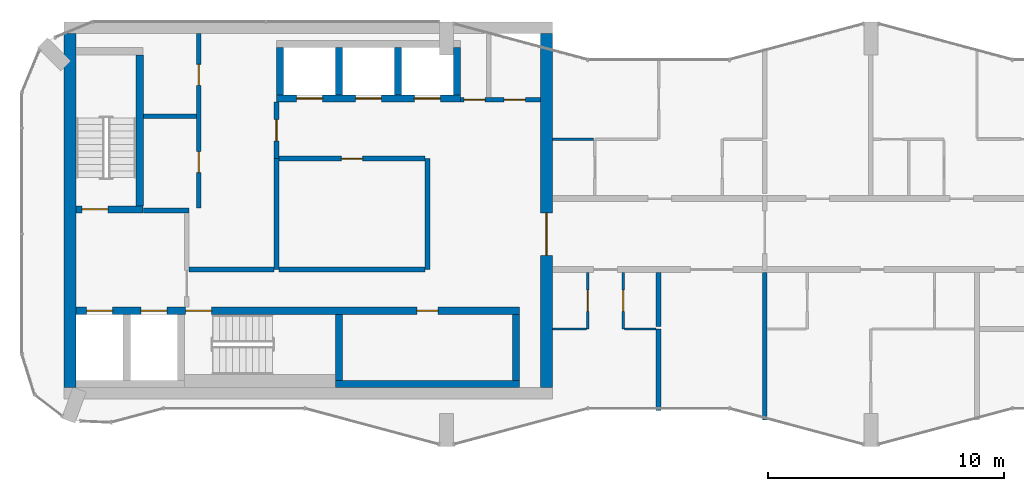
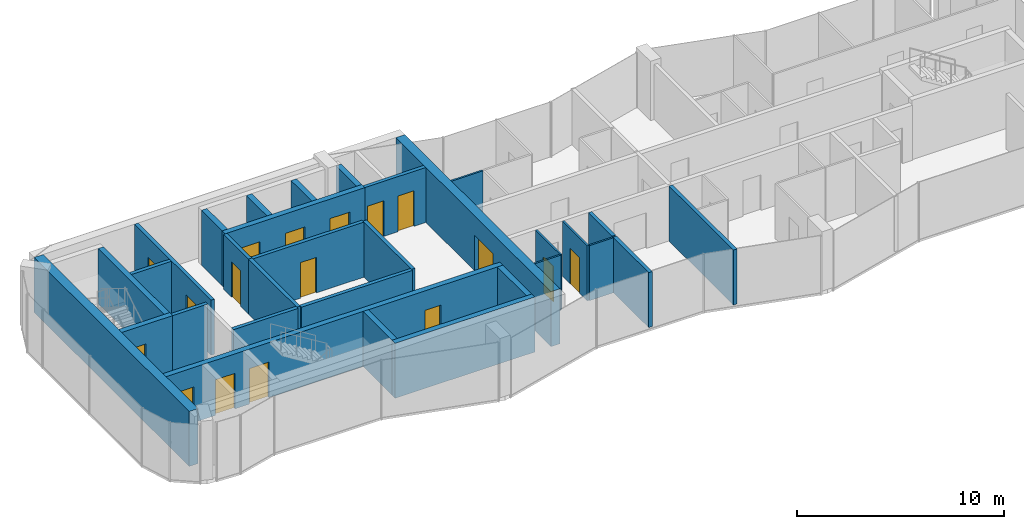
# One storey, part 7 of 10: 31 walls, 17 doors, 17 openings.
"""IFC4 building model written with IfcOpenShell, lengths in metres."""

from ifc_helpers import new_model, si_unit, direction, frame, frame_2d, origin, place, context, subcontext, project, spatial, rectangle, extrude, material, layer, layer_set, type_object, element, fill, save


model = new_model("IFC4")

# Units and contexts
model_context = context("Model", 3, precision=1e-05, world=origin(), true_north=direction((0.0, 1.0)))
body_context = subcontext(model_context, "Body", "Model", "MODEL_VIEW")
ifc_project = project(units=[si_unit("LENGTHUNIT", "METRE"), si_unit("AREAUNIT", "SQUARE_METRE"), si_unit("VOLUMEUNIT", "CUBIC_METRE"), si_unit("PLANEANGLEUNIT", "RADIAN"), si_unit("MASSUNIT", "GRAM", prefix="KILO")], contexts=[model_context])

# Site, building, storey
site_placement = place(None, origin())
site = spatial("IfcSite", under=ifc_project, at=site_placement, CompositionType="ELEMENT")
building_placement = place(site_placement, origin())
building = spatial("IfcBuilding", under=site, at=building_placement, Name="Plateau Cross Towers", CompositionType="ELEMENT")
storey_placement = place(building_placement, frame((0.0, 0.0, 249.39990234375)))
storey = spatial("IfcBuildingStorey", under=building, at=storey_placement, Name="L65", CompositionType="ELEMENT", Elevation=249.39990234375)

# Walls
ifc_material_1 = material(Name="Concrete block, plastered both sides", Category="concrete")
ifc_layer_1 = layer(ifc_material_1, 0.199951171875)
ifc_layer_set_1 = layer_set([ifc_layer_1], Name="Concrete block, plastered both sides")
wall_type_1 = type_object("IfcWallType", Name="Core partition 200", PredefinedType="PARTITIONING", material=ifc_layer_set_1)
wall_1_placement = place(storey_placement, frame((5.14990234375, 10.0, 0.0), z_axis=(0.0, 0.0, 1.0), x_axis=(1.0, 0.0, 0.0)))
element("IfcWall", 1, at=wall_1_placement, inside=storey, type_object=wall_type_1, Name="Core partition", PredefinedType="PARTITIONING", context=body_context, shape_type="SweptSolid", body=[
    extrude(rectangle(XDim=1.9501953125, YDim=0.199951171875, at=frame_2d((0.97509765625, 0.0))), origin(), (0.0, 0.0, 1.0), 3.25),
])
wall_2_placement = place(storey_placement, frame((7.10009765625, 7.5, 0.0), z_axis=(0.0, 0.0, 1.0), x_axis=(1.0, 0.0, 0.0)))
element("IfcWall", 2, at=wall_2_placement, inside=storey, type_object=wall_type_1, Name="Core partition", PredefinedType="PARTITIONING", context=body_context, shape_type="SweptSolid", body=[
    extrude(rectangle(XDim=3.599853515625, YDim=0.199951171875, at=frame_2d((1.7998046875, 0.0))), origin(), (0.0, 0.0, 1.0), 3.25),
])

# Wall, opening, door
wall_3_placement = place(storey_placement, frame((10.800048828125, 12.199951171875, 0.0), z_axis=(0.0, 0.0, 1.0), x_axis=(0.0, 1.0, 0.0)))
wall_3 = element("IfcWall", 3, at=wall_3_placement, inside=storey, type_object=wall_type_1, Name="Core partition", PredefinedType="PARTITIONING", context=body_context, shape_type="SweptSolid", body=[
    extrude(rectangle(XDim=2.400146484375, YDim=0.199951171875, at=frame_2d((1.2001953125, 0.0))), origin(), (0.0, 0.0, 1.0), 3.25),
])
opening_1_placement = place(wall_3_placement, frame((0.75, 0.0, 0.0)))
opening_1 = element("IfcOpeningElement", 4, at=opening_1_placement, cuts=wall_3, Name="Opening RD1", PredefinedType="OPENING", context=body_context, shape_type="SweptSolid", body=[
    extrude(rectangle(XDim=0.89990234375, YDim=2.10009765625, at=frame_2d((0.449951171875, 1.050048828125))), frame((0.0, 0.10986328125, 0.0), z_axis=(0.0, -1.0, 0.0), x_axis=(1.0, 0.0, 0.0)), (0.0, 0.0, 1.0), 0.219970703125),
])
ifc_material_2 = material(Name="Timber, fire-resisting leaf", Category="wood")
door_type_1 = type_object("IfcDoorType", Name="Core service door 900", OperationType="NOTDEFINED", PredefinedType="DOOR", material=ifc_material_2)
door_1_placement = place(opening_1_placement, origin())
door_1 = element("IfcDoor", 5, at=door_1_placement, inside=storey, type_object=door_type_1, Name="Core service door RD1", OperationType="SINGLE_SWING_LEFT", OverallHeight=2.10009765625, OverallWidth=0.89990234375, PredefinedType="DOOR", context=body_context, shape_type="SweptSolid", body=[
    extrude(rectangle(XDim=0.89990234375, YDim=2.10009765625, at=frame_2d((0.449951171875, 1.050048828125))), frame((0.0, 0.02490234375, 0.0), z_axis=(0.0, -1.0, 0.0), x_axis=(1.0, 0.0, 0.0)), (0.0, 0.0, 1.0), 0.050048828125),
])
fill(opening_1, door_1)

# Walls
wall_4_placement = place(storey_placement, frame((10.800048828125, 7.5, 0.0), z_axis=(0.0, 0.0, 1.0), x_axis=(0.0, 1.0, 0.0)))
element("IfcWall", 6, at=wall_4_placement, inside=storey, type_object=wall_type_1, Name="Core partition", PredefinedType="PARTITIONING", context=body_context, shape_type="SweptSolid", body=[
    extrude(rectangle(XDim=4.699951171875, YDim=0.199951171875, at=frame_2d((2.35009765625, 0.0))), origin(), (0.0, 0.0, 1.0), 3.25),
])
wall_5_placement = place(storey_placement, frame((10.89990234375, 7.5, 0.0), z_axis=(0.0, 0.0, 1.0), x_axis=(1.0, 0.0, 0.0)))
element("IfcWall", 7, at=wall_5_placement, inside=storey, type_object=wall_type_1, Name="Core partition", PredefinedType="PARTITIONING", context=body_context, shape_type="SweptSolid", body=[
    extrude(rectangle(XDim=6.2001953125, YDim=0.199951171875, at=frame_2d((3.10009765625, 0.0))), origin(), (0.0, 0.0, 1.0), 3.25),
])
wall_6_placement = place(storey_placement, frame((17.199951171875, 7.5, 0.0), z_axis=(0.0, 0.0, 1.0), x_axis=(0.0, 1.0, 0.0)))
element("IfcWall", 8, at=wall_6_placement, inside=storey, type_object=wall_type_1, Name="Core partition", PredefinedType="PARTITIONING", context=body_context, shape_type="SweptSolid", body=[
    extrude(rectangle(XDim=4.699951171875, YDim=0.199951171875, at=frame_2d((2.35009765625, 0.0))), origin(), (0.0, 0.0, 1.0), 3.25),
])

# Wall, opening, door
wall_7_placement = place(storey_placement, frame((10.89990234375, 12.199951171875, 0.0), z_axis=(0.0, 0.0, 1.0), x_axis=(1.0, 0.0, 0.0)))
wall_7 = element("IfcWall", 9, at=wall_7_placement, inside=storey, type_object=wall_type_1, Name="Core partition", PredefinedType="PARTITIONING", context=body_context, shape_type="SweptSolid", body=[
    extrude(rectangle(XDim=6.2001953125, YDim=0.199951171875, at=frame_2d((3.10009765625, 0.0))), origin(), (0.0, 0.0, 1.0), 3.25),
])
opening_2_placement = place(wall_7_placement, frame((2.64990234375, 0.0, 0.0)))
opening_2 = element("IfcOpeningElement", 10, at=opening_2_placement, cuts=wall_7, Name="Opening RD1", PredefinedType="OPENING", context=body_context, shape_type="SweptSolid", body=[
    extrude(rectangle(XDim=0.89990234375, YDim=2.10009765625, at=frame_2d((0.449951171875, 1.050048828125))), frame((0.0, 0.10986328125, 0.0), z_axis=(0.0, -1.0, 0.0), x_axis=(1.0, 0.0, 0.0)), (0.0, 0.0, 1.0), 0.219970703125),
])
door_2_placement = place(opening_2_placement, origin())
door_2 = element("IfcDoor", 11, at=door_2_placement, inside=storey, type_object=door_type_1, Name="Core service door RD1", OperationType="SINGLE_SWING_LEFT", OverallHeight=2.10009765625, OverallWidth=0.89990234375, PredefinedType="DOOR", context=body_context, shape_type="SweptSolid", body=[
    extrude(rectangle(XDim=0.89990234375, YDim=2.10009765625, at=frame_2d((0.449951171875, 1.050048828125))), frame((0.0, 0.02490234375, 0.0), z_axis=(0.0, -1.0, 0.0), x_axis=(1.0, 0.0, 0.0)), (0.0, 0.0, 1.0), 0.050048828125),
])
fill(opening_2, door_2)

# Wall, openings, doors
wall_8_placement = place(storey_placement, frame((7.5, 10.10009765625, 0.0), z_axis=(0.0, 0.0, 1.0), x_axis=(0.0, 1.0, 0.0)))
wall_8 = element("IfcWall", 12, at=wall_8_placement, inside=storey, type_object=wall_type_1, Name="Core partition", PredefinedType="PARTITIONING", context=body_context, shape_type="SweptSolid", body=[
    extrude(rectangle(XDim=7.39990234375, YDim=0.199951171875, at=frame_2d((3.699951171875, 0.0))), origin(), (0.0, 0.0, 1.0), 3.25),
])
opening_3_placement = place(wall_8_placement, frame((1.5, 0.0, 0.0)))
opening_3 = element("IfcOpeningElement", 13, at=opening_3_placement, cuts=wall_8, Name="Opening RD1", PredefinedType="OPENING", context=body_context, shape_type="SweptSolid", body=[
    extrude(rectangle(XDim=0.89990234375, YDim=2.10009765625, at=frame_2d((0.449951171875, 1.050048828125))), frame((0.0, 0.10986328125, 0.0), z_axis=(0.0, -1.0, 0.0), x_axis=(1.0, 0.0, 0.0)), (0.0, 0.0, 1.0), 0.219970703125),
])
opening_4_placement = place(wall_8_placement, frame((5.199951171875, 0.0, 0.0)))
opening_4 = element("IfcOpeningElement", 14, at=opening_4_placement, cuts=wall_8, Name="Opening RD1", PredefinedType="OPENING", context=body_context, shape_type="SweptSolid", body=[
    extrude(rectangle(XDim=0.89990234375, YDim=2.10009765625, at=frame_2d((0.449951171875, 1.050048828125))), frame((0.0, 0.10986328125, 0.0), z_axis=(0.0, -1.0, 0.0), x_axis=(1.0, 0.0, 0.0)), (0.0, 0.0, 1.0), 0.219970703125),
])
door_3_placement = place(opening_3_placement, origin())
door_3 = element("IfcDoor", 15, at=door_3_placement, inside=storey, type_object=door_type_1, Name="Core service door RD1", OperationType="SINGLE_SWING_RIGHT", OverallHeight=2.10009765625, OverallWidth=0.89990234375, PredefinedType="DOOR", context=body_context, shape_type="SweptSolid", body=[
    extrude(rectangle(XDim=0.89990234375, YDim=2.10009765625, at=frame_2d((0.449951171875, 1.050048828125))), frame((0.0, 0.02490234375, 0.0), z_axis=(0.0, -1.0, 0.0), x_axis=(1.0, 0.0, 0.0)), (0.0, 0.0, 1.0), 0.050048828125),
])
fill(opening_3, door_3)
door_4_placement = place(opening_4_placement, origin())
door_4 = element("IfcDoor", 16, at=door_4_placement, inside=storey, type_object=door_type_1, Name="Core service door RD1", OperationType="SINGLE_SWING_RIGHT", OverallHeight=2.10009765625, OverallWidth=0.89990234375, PredefinedType="DOOR", context=body_context, shape_type="SweptSolid", body=[
    extrude(rectangle(XDim=0.89990234375, YDim=2.10009765625, at=frame_2d((0.449951171875, 1.050048828125))), frame((0.0, 0.02490234375, 0.0), z_axis=(0.0, -1.0, 0.0), x_axis=(1.0, 0.0, 0.0)), (0.0, 0.0, 1.0), 0.050048828125),
])
fill(opening_4, door_4)

# Wall
wall_9_placement = place(storey_placement, frame((5.14990234375, 14.0, 0.0), z_axis=(0.0, 0.0, 1.0), x_axis=(1.0, 0.0, 0.0)))
element("IfcWall", 17, at=wall_9_placement, inside=storey, type_object=wall_type_1, Name="Core partition", PredefinedType="PARTITIONING", context=body_context, shape_type="SweptSolid", body=[
    extrude(rectangle(XDim=2.25, YDim=0.199951171875, at=frame_2d((1.125, 0.0))), origin(), (0.0, 0.0, 1.0), 3.25),
])

# Wall, openings, doors
wall_10_placement = place(storey_placement, frame((18.60009765625, 14.699951171875, 0.0), z_axis=(0.0, 0.0, 1.0), x_axis=(1.0, 0.0, 0.0)))
wall_10 = element("IfcWall", 18, at=wall_10_placement, inside=storey, type_object=wall_type_1, Name="Core partition", PredefinedType="PARTITIONING", context=body_context, shape_type="SweptSolid", body=[
    extrude(rectangle(XDim=3.39990234375, YDim=0.199951171875, at=frame_2d((1.699951171875, 0.0))), origin(), (0.0, 0.0, 1.0), 3.25),
])
opening_5_placement = place(wall_10_placement, frame((0.14990234375, 0.0, 0.0)))
opening_5 = element("IfcOpeningElement", 19, at=opening_5_placement, cuts=wall_10, Name="Opening RD2", PredefinedType="OPENING", context=body_context, shape_type="SweptSolid", body=[
    extrude(rectangle(XDim=0.89990234375, YDim=2.10009765625, at=frame_2d((0.449951171875, 1.050048828125))), frame((0.0, 0.10986328125, 0.0), z_axis=(0.0, -1.0, 0.0), x_axis=(1.0, 0.0, 0.0)), (0.0, 0.0, 1.0), 0.219970703125),
])
opening_6_placement = place(wall_10_placement, frame((1.85009765625, 0.0, 0.0)))
opening_6 = element("IfcOpeningElement", 20, at=opening_6_placement, cuts=wall_10, Name="Opening RD2", PredefinedType="OPENING", context=body_context, shape_type="SweptSolid", body=[
    extrude(rectangle(XDim=0.89990234375, YDim=2.10009765625, at=frame_2d((0.449951171875, 1.050048828125))), frame((0.0, 0.10986328125, 0.0), z_axis=(0.0, -1.0, 0.0), x_axis=(1.0, 0.0, 0.0)), (0.0, 0.0, 1.0), 0.219970703125),
])
ifc_material_3 = material(Name="Steel, fire-resisting leaf", Category="steel")
door_type_2 = type_object("IfcDoorType", Name="Core riser door 900", OperationType="NOTDEFINED", PredefinedType="DOOR", material=ifc_material_3)
door_5_placement = place(opening_5_placement, origin())
door_5 = element("IfcDoor", 21, at=door_5_placement, inside=storey, type_object=door_type_2, Name="Core riser door RD2", OperationType="SINGLE_SWING_LEFT", OverallHeight=2.10009765625, OverallWidth=0.89990234375, PredefinedType="DOOR", context=body_context, shape_type="SweptSolid", body=[
    extrude(rectangle(XDim=0.89990234375, YDim=2.10009765625, at=frame_2d((0.449951171875, 1.050048828125))), frame((0.0, 0.02490234375, 0.0), z_axis=(0.0, -1.0, 0.0), x_axis=(1.0, 0.0, 0.0)), (0.0, 0.0, 1.0), 0.050048828125),
])
fill(opening_5, door_5)
door_6_placement = place(opening_6_placement, origin())
door_6 = element("IfcDoor", 22, at=door_6_placement, inside=storey, type_object=door_type_2, Name="Core riser door RD2", OperationType="SINGLE_SWING_LEFT", OverallHeight=2.10009765625, OverallWidth=0.89990234375, PredefinedType="DOOR", context=body_context, shape_type="SweptSolid", body=[
    extrude(rectangle(XDim=0.89990234375, YDim=2.10009765625, at=frame_2d((0.449951171875, 1.050048828125))), frame((0.0, 0.02490234375, 0.0), z_axis=(0.0, -1.0, 0.0), x_axis=(1.0, 0.0, 0.0)), (0.0, 0.0, 1.0), 0.050048828125),
])
fill(opening_6, door_6)

# Walls
ifc_material_4 = material(Name="Concrete C60/75", Category="concrete")
ifc_layer_2 = layer(ifc_material_4, 0.300048828125)
ifc_layer_set_2 = layer_set([ifc_layer_2], Name="Concrete C60/75")
wall_type_2 = type_object("IfcWallType", Name="Core shaft wall 300", PredefinedType="SHEAR", material=ifc_layer_set_2)
wall_11_placement = place(storey_placement, frame((13.300048828125, 2.64990234375, 0.0), z_axis=(0.0, 0.0, 1.0), x_axis=(1.0, 0.0, 0.0)))
element("IfcWall", 23, at=wall_11_placement, inside=storey, type_object=wall_type_2, Name="A-sb-back3@L65", PredefinedType="SHEAR", context=body_context, shape_type="SweptSolid", body=[
    extrude(rectangle(XDim=7.800048828125, YDim=0.300048828125, at=frame_2d((3.89990234375, 0.0))), origin(), (0.0, 0.0, 1.0), 3.25),
])
for number, where, z_axis, x_axis, name in (
    (24, (13.449951171875, 2.800048828125, 0.0), (0.0, 0.0, 1.0), (0.0, 1.0, 0.0), "A-sb-v3@L65"),
    (25, (20.949951171875, 2.800048828125, 0.0), (0.0, 0.0, 1.0), (0.0, 1.0, 0.0), "A-sb-v6@L65"),
):
    element("IfcWall", number, at=place(storey_placement, frame(where, z_axis=z_axis, x_axis=x_axis)), inside=storey, type_object=wall_type_2, Name=name, PredefinedType="SHEAR", context=body_context, shape_type="SweptSolid", body=[
        extrude(rectangle(XDim=2.800048828125, YDim=0.300048828125, at=frame_2d((1.39990234375, 0.0))), origin(), (0.0, 0.0, 1.0), 3.25),
    ])

# Wall, openings, doors
wall_12_placement = place(storey_placement, frame((2.300048828125, 5.75, 0.0), z_axis=(0.0, 0.0, 1.0), x_axis=(1.0, 0.0, 0.0)))
wall_12 = element("IfcWall", 26, at=wall_12_placement, inside=storey, type_object=wall_type_2, Name="A-sb-front@L65", PredefinedType="SHEAR", context=body_context, shape_type="SweptSolid", body=[
    extrude(rectangle(XDim=18.800048828125, YDim=0.300048828125, at=frame_2d((9.39990234375, 0.0))), origin(), (0.0, 0.0, 1.0), 3.25),
])
opening_7_placement = place(wall_12_placement, frame((4.64990234375, 0.0, 0.0)))
opening_7 = element("IfcOpeningElement", 27, at=opening_7_placement, cuts=wall_12, Name="Opening SD", PredefinedType="OPENING", context=body_context, shape_type="SweptSolid", body=[
    extrude(rectangle(XDim=1.10009765625, YDim=2.10009765625, at=frame_2d((0.550048828125, 1.050048828125))), frame((0.0, 0.159912109375, 0.0), z_axis=(0.0, -1.0, 0.0), x_axis=(1.0, 0.0, 0.0)), (0.0, 0.0, 1.0), 0.320068359375),
])
opening_8_placement = place(wall_12_placement, frame((0.449951171875, 0.0, 0.0)))
opening_8 = element("IfcOpeningElement", 28, at=opening_8_placement, cuts=wall_12, Name="Opening LD", PredefinedType="OPENING", context=body_context, shape_type="SweptSolid", body=[
    extrude(rectangle(XDim=1.10009765625, YDim=2.10009765625, at=frame_2d((0.550048828125, 1.050048828125))), frame((0.0, 0.159912109375, 0.0), z_axis=(0.0, -1.0, 0.0), x_axis=(1.0, 0.0, 0.0)), (0.0, 0.0, 1.0), 0.320068359375),
])
opening_9_placement = place(wall_12_placement, frame((2.75, 0.0, 0.0)))
opening_9 = element("IfcOpeningElement", 29, at=opening_9_placement, cuts=wall_12, Name="Opening LD", PredefinedType="OPENING", context=body_context, shape_type="SweptSolid", body=[
    extrude(rectangle(XDim=1.10009765625, YDim=2.10009765625, at=frame_2d((0.550048828125, 1.050048828125))), frame((0.0, 0.159912109375, 0.0), z_axis=(0.0, -1.0, 0.0), x_axis=(1.0, 0.0, 0.0)), (0.0, 0.0, 1.0), 0.320068359375),
])
opening_10_placement = place(wall_12_placement, frame((14.449951171875, 0.0, 0.0)))
opening_10 = element("IfcOpeningElement", 30, at=opening_10_placement, cuts=wall_12, Name="Opening RD2", PredefinedType="OPENING", context=body_context, shape_type="SweptSolid", body=[
    extrude(rectangle(XDim=0.89990234375, YDim=2.10009765625, at=frame_2d((0.449951171875, 1.050048828125))), frame((0.0, 0.159912109375, 0.0), z_axis=(0.0, -1.0, 0.0), x_axis=(1.0, 0.0, 0.0)), (0.0, 0.0, 1.0), 0.320068359375),
])
door_7_placement = place(opening_10_placement, origin())
door_7 = element("IfcDoor", 31, at=door_7_placement, inside=storey, type_object=door_type_2, Name="Core riser door RD2", OperationType="SINGLE_SWING_LEFT", OverallHeight=2.10009765625, OverallWidth=0.89990234375, PredefinedType="DOOR", context=body_context, shape_type="SweptSolid", body=[
    extrude(rectangle(XDim=0.89990234375, YDim=2.10009765625, at=frame_2d((0.449951171875, 1.050048828125))), frame((0.0, 0.02490234375, 0.0), z_axis=(0.0, -1.0, 0.0), x_axis=(1.0, 0.0, 0.0)), (0.0, 0.0, 1.0), 0.050048828125),
])
fill(opening_10, door_7)
ifc_material_5 = material(Name="Stainless steel, fire-resisting sliding leaves", Category="steel")
door_type_3 = type_object("IfcDoorType", Name="Lift landing door 1100", OperationType="NOTDEFINED", PredefinedType="DOOR", material=ifc_material_5)
door_8_placement = place(opening_8_placement, origin())
door_8 = element("IfcDoor", 32, at=door_8_placement, inside=storey, type_object=door_type_3, Name="Lift landing door LD", OperationType="DOUBLE_DOOR_SLIDING", OverallHeight=2.10009765625, OverallWidth=1.10009765625, PredefinedType="DOOR", context=body_context, shape_type="SweptSolid", body=[
    extrude(rectangle(XDim=1.10009765625, YDim=2.10009765625, at=frame_2d((0.550048828125, 1.050048828125))), frame((0.0, 0.02490234375, 0.0), z_axis=(0.0, -1.0, 0.0), x_axis=(1.0, 0.0, 0.0)), (0.0, 0.0, 1.0), 0.050048828125),
])
fill(opening_8, door_8)
door_9_placement = place(opening_9_placement, origin())
door_9 = element("IfcDoor", 33, at=door_9_placement, inside=storey, type_object=door_type_3, Name="Lift landing door LD", OperationType="DOUBLE_DOOR_SLIDING", OverallHeight=2.10009765625, OverallWidth=1.10009765625, PredefinedType="DOOR", context=body_context, shape_type="SweptSolid", body=[
    extrude(rectangle(XDim=1.10009765625, YDim=2.10009765625, at=frame_2d((0.550048828125, 1.050048828125))), frame((0.0, 0.02490234375, 0.0), z_axis=(0.0, -1.0, 0.0), x_axis=(1.0, 0.0, 0.0)), (0.0, 0.0, 1.0), 0.050048828125),
])
fill(opening_9, door_9)
door_type_4 = type_object("IfcDoorType", Name="Stair door 1100", OperationType="NOTDEFINED", PredefinedType="DOOR", material=ifc_material_3)
door_10_placement = place(opening_7_placement, origin())
door_10 = element("IfcDoor", 34, at=door_10_placement, inside=storey, type_object=door_type_4, Name="Stair door SD", OperationType="SINGLE_SWING_LEFT", OverallHeight=2.10009765625, OverallWidth=1.10009765625, PredefinedType="DOOR", context=body_context, shape_type="SweptSolid", body=[
    extrude(rectangle(XDim=1.10009765625, YDim=2.10009765625, at=frame_2d((0.550048828125, 1.050048828125))), frame((0.0, 0.02490234375, 0.0), z_axis=(0.0, -1.0, 0.0), x_axis=(1.0, 0.0, 0.0)), (0.0, 0.0, 1.0), 0.050048828125),
])
fill(opening_7, door_10)

# Wall, opening, door
wall_13_placement = place(storey_placement, frame((2.300048828125, 10.050048828125, 0.0), z_axis=(0.0, 0.0, 1.0), x_axis=(1.0, 0.0, 0.0)))
wall_13 = element("IfcWall", 35, at=wall_13_placement, inside=storey, type_object=wall_type_2, Name="A-st1-S@L65", PredefinedType="SHEAR", context=body_context, shape_type="SweptSolid", body=[
    extrude(rectangle(XDim=2.849853515625, YDim=0.300048828125, at=frame_2d((1.4248046875, 0.0))), origin(), (0.0, 0.0, 1.0), 3.25),
])
opening_11_placement = place(wall_13_placement, frame((0.25, 0.0, 0.0)))
opening_11 = element("IfcOpeningElement", 36, at=opening_11_placement, cuts=wall_13, Name="Opening SD", PredefinedType="OPENING", context=body_context, shape_type="SweptSolid", body=[
    extrude(rectangle(XDim=1.10009765625, YDim=2.10009765625, at=frame_2d((0.550048828125, 1.050048828125))), frame((0.0, 0.159912109375, 0.0), z_axis=(0.0, -1.0, 0.0), x_axis=(1.0, 0.0, 0.0)), (0.0, 0.0, 1.0), 0.320068359375),
])
door_11_placement = place(opening_11_placement, origin())
door_11 = element("IfcDoor", 37, at=door_11_placement, inside=storey, type_object=door_type_4, Name="Stair door SD", OperationType="SINGLE_SWING_RIGHT", OverallHeight=2.10009765625, OverallWidth=1.10009765625, PredefinedType="DOOR", context=body_context, shape_type="SweptSolid", body=[
    extrude(rectangle(XDim=1.10009765625, YDim=2.10009765625, at=frame_2d((0.550048828125, 1.050048828125))), frame((0.0, 0.02490234375, 0.0), z_axis=(0.0, -1.0, 0.0), x_axis=(1.0, 0.0, 0.0)), (0.0, 0.0, 1.0), 0.050048828125),
])
fill(opening_11, door_11)

# Wall
wall_14_placement = place(storey_placement, frame((5.0, 10.199951171875, 0.0), z_axis=(0.0, 0.0, 1.0), x_axis=(0.0, 1.0, 0.0)))
element("IfcWall", 38, at=wall_14_placement, inside=storey, type_object=wall_type_2, Name="A-st1-E@L65", PredefinedType="SHEAR", context=body_context, shape_type="SweptSolid", body=[
    extrude(rectangle(XDim=6.400146484375, YDim=0.300048828125, at=frame_2d((3.2001953125, 0.0))), origin(), (0.0, 0.0, 1.0), 3.25),
])

# Wall, openings, doors
wall_15_placement = place(storey_placement, frame((10.800048828125, 14.75, 0.0), z_axis=(0.0, 0.0, 1.0), x_axis=(1.0, 0.0, 0.0)))
wall_15 = element("IfcWall", 39, at=wall_15_placement, inside=storey, type_object=wall_type_2, Name="A-nb-front@L65", PredefinedType="SHEAR", context=body_context, shape_type="SweptSolid", body=[
    extrude(rectangle(XDim=7.800048828125, YDim=0.300048828125, at=frame_2d((3.89990234375, 0.0))), origin(), (0.0, 0.0, 1.0), 3.25),
])
opening_12_placement = place(wall_15_placement, frame((0.85009765625, 0.0, 0.0)))
opening_12 = element("IfcOpeningElement", 40, at=opening_12_placement, cuts=wall_15, Name="Opening LD", PredefinedType="OPENING", context=body_context, shape_type="SweptSolid", body=[
    extrude(rectangle(XDim=1.10009765625, YDim=2.10009765625, at=frame_2d((0.550048828125, 1.050048828125))), frame((0.0, 0.159912109375, 0.0), z_axis=(0.0, -1.0, 0.0), x_axis=(1.0, 0.0, 0.0)), (0.0, 0.0, 1.0), 0.320068359375),
])
opening_13_placement = place(wall_15_placement, frame((3.35009765625, 0.0, 0.0)))
opening_13 = element("IfcOpeningElement", 41, at=opening_13_placement, cuts=wall_15, Name="Opening LD", PredefinedType="OPENING", context=body_context, shape_type="SweptSolid", body=[
    extrude(rectangle(XDim=1.10009765625, YDim=2.10009765625, at=frame_2d((0.550048828125, 1.050048828125))), frame((0.0, 0.159912109375, 0.0), z_axis=(0.0, -1.0, 0.0), x_axis=(1.0, 0.0, 0.0)), (0.0, 0.0, 1.0), 0.320068359375),
])
opening_14_placement = place(wall_15_placement, frame((5.85009765625, 0.0, 0.0)))
opening_14 = element("IfcOpeningElement", 42, at=opening_14_placement, cuts=wall_15, Name="Opening LD", PredefinedType="OPENING", context=body_context, shape_type="SweptSolid", body=[
    extrude(rectangle(XDim=1.10009765625, YDim=2.10009765625, at=frame_2d((0.550048828125, 1.050048828125))), frame((0.0, 0.159912109375, 0.0), z_axis=(0.0, -1.0, 0.0), x_axis=(1.0, 0.0, 0.0)), (0.0, 0.0, 1.0), 0.320068359375),
])
door_12_placement = place(opening_12_placement, origin())
door_12 = element("IfcDoor", 43, at=door_12_placement, inside=storey, type_object=door_type_3, Name="Lift landing door LD", OperationType="DOUBLE_DOOR_SLIDING", OverallHeight=2.10009765625, OverallWidth=1.10009765625, PredefinedType="DOOR", context=body_context, shape_type="SweptSolid", body=[
    extrude(rectangle(XDim=1.10009765625, YDim=2.10009765625, at=frame_2d((0.550048828125, 1.050048828125))), frame((0.0, 0.02490234375, 0.0), z_axis=(0.0, -1.0, 0.0), x_axis=(1.0, 0.0, 0.0)), (0.0, 0.0, 1.0), 0.050048828125),
])
fill(opening_12, door_12)
door_13_placement = place(opening_13_placement, origin())
door_13 = element("IfcDoor", 44, at=door_13_placement, inside=storey, type_object=door_type_3, Name="Lift landing door LD", OperationType="DOUBLE_DOOR_SLIDING", OverallHeight=2.10009765625, OverallWidth=1.10009765625, PredefinedType="DOOR", context=body_context, shape_type="SweptSolid", body=[
    extrude(rectangle(XDim=1.10009765625, YDim=2.10009765625, at=frame_2d((0.550048828125, 1.050048828125))), frame((0.0, 0.02490234375, 0.0), z_axis=(0.0, -1.0, 0.0), x_axis=(1.0, 0.0, 0.0)), (0.0, 0.0, 1.0), 0.050048828125),
])
fill(opening_13, door_13)
door_14_placement = place(opening_14_placement, origin())
door_14 = element("IfcDoor", 45, at=door_14_placement, inside=storey, type_object=door_type_3, Name="Lift landing door LD", OperationType="DOUBLE_DOOR_SLIDING", OverallHeight=2.10009765625, OverallWidth=1.10009765625, PredefinedType="DOOR", context=body_context, shape_type="SweptSolid", body=[
    extrude(rectangle(XDim=1.10009765625, YDim=2.10009765625, at=frame_2d((0.550048828125, 1.050048828125))), frame((0.0, 0.02490234375, 0.0), z_axis=(0.0, -1.0, 0.0), x_axis=(1.0, 0.0, 0.0)), (0.0, 0.0, 1.0), 0.050048828125),
])
fill(opening_14, door_14)

# Walls
for number, where, z_axis, x_axis, name in (
    (46, (10.949951171875, 14.89990234375, 0.0), (0.0, 0.0, 1.0), (0.0, 1.0, 0.0), "A-nb-v1@L65"),
    (47, (13.449951171875, 14.89990234375, 0.0), (0.0, 0.0, 1.0), (0.0, 1.0, 0.0), "A-nb-v2@L65"),
    (48, (15.949951171875, 14.89990234375, 0.0), (0.0, 0.0, 1.0), (0.0, 1.0, 0.0), "A-nb-v3@L65"),
    (49, (18.449951171875, 14.89990234375, 0.0), (0.0, 0.0, 1.0), (0.0, 1.0, 0.0), "A-nb-v4@L65"),
):
    element("IfcWall", number, at=place(storey_placement, frame(where, z_axis=z_axis, x_axis=x_axis)), inside=storey, type_object=wall_type_2, Name=name, PredefinedType="SHEAR", context=body_context, shape_type="SweptSolid", body=[
        extrude(rectangle(XDim=2.0, YDim=0.300048828125, at=frame_2d((1.0, 0.0))), origin(), (0.0, 0.0, 1.0), 3.25),
    ])
ifc_layer_3 = layer(ifc_material_4, 0.5)
ifc_layer_set_3 = layer_set([ifc_layer_3], Name="Concrete C60/75")
wall_type_3 = type_object("IfcWallType", Name="Core shell wall 500", PredefinedType="SHEAR", material=ifc_layer_set_3)
wall_16_placement = place(storey_placement, frame((2.050048828125, 2.5, 0.0), z_axis=(0.0, 0.0, 1.0), x_axis=(0.0, 1.0, 0.0)))
element("IfcWall", 50, at=wall_16_placement, inside=storey, type_object=wall_type_3, Name="A-core-W@L65", PredefinedType="SHEAR", context=body_context, shape_type="SweptSolid", body=[
    extrude(rectangle(XDim=15.0, YDim=0.5, at=frame_2d((7.5, 0.0))), origin(), (0.0, 0.0, 1.0), 3.25),
])

# Wall, opening, door
wall_17_placement = place(storey_placement, frame((22.25, 2.5, 0.0), z_axis=(0.0, 0.0, 1.0), x_axis=(0.0, 1.0, 0.0)))
wall_17 = element("IfcWall", 51, at=wall_17_placement, inside=storey, type_object=wall_type_3, Name="A-core-E@L65", PredefinedType="SHEAR", context=body_context, shape_type="SweptSolid", body=[
    extrude(rectangle(XDim=15.0, YDim=0.5, at=frame_2d((7.5, 0.0))), origin(), (0.0, 0.0, 1.0), 3.25),
])
opening_15_placement = place(wall_17_placement, frame((5.60009765625, 0.0, 0.0)))
opening_15 = element("IfcOpeningElement", 52, at=opening_15_placement, cuts=wall_17, Name="Opening CD", PredefinedType="OPENING", context=body_context, shape_type="SweptSolid", body=[
    extrude(rectangle(XDim=1.800048828125, YDim=2.10009765625, at=frame_2d((0.89990234375, 1.050048828125))), frame((0.0, 0.260009765625, 0.0), z_axis=(0.0, -1.0, 0.0), x_axis=(1.0, 0.0, 0.0)), (0.0, 0.0, 1.0), 0.52001953125),
])
ifc_material_6 = material(Name="Steel, fire-resisting leaves", Category="steel")
door_type_5 = type_object("IfcDoorType", Name="Corridor door pair 1800", OperationType="NOTDEFINED", PredefinedType="DOOR", material=ifc_material_6)
door_15_placement = place(opening_15_placement, origin())
door_15 = element("IfcDoor", 53, at=door_15_placement, inside=storey, type_object=door_type_5, Name="Corridor door pair CD", OperationType="DOUBLE_DOOR_SINGLE_SWING", OverallHeight=2.10009765625, OverallWidth=1.800048828125, PredefinedType="DOOR", context=body_context, shape_type="SweptSolid", body=[
    extrude(rectangle(XDim=1.800048828125, YDim=2.10009765625, at=frame_2d((0.89990234375, 1.050048828125))), frame((0.0, 0.02490234375, 0.0), z_axis=(0.0, -1.0, 0.0), x_axis=(1.0, 0.0, 0.0)), (0.0, 0.0, 1.0), 0.050048828125),
])
fill(opening_15, door_15)

# Walls
ifc_material_7 = material(Name="Gypsum board on steel studs", Category="steel")
ifc_layer_4 = layer(ifc_material_7, 0.10009765625)
ifc_layer_set_4 = layer_set([ifc_layer_4], Name="Gypsum board on steel studs")
wall_type_4 = type_object("IfcWallType", Name="Flat partition 100", PredefinedType="PARTITIONING", material=ifc_layer_set_4)
wall_18_placement = place(storey_placement, frame((22.5, 4.97509765625, 0.0), z_axis=(0.0, 0.0, 1.0), x_axis=(1.0, 0.0, 0.0)))
element("IfcWall", 54, at=wall_18_placement, inside=storey, type_object=wall_type_4, Name="Partition wall", PredefinedType="PARTITIONING", context=body_context, shape_type="SweptSolid", body=[
    extrude(rectangle(XDim=1.449951171875, YDim=0.10009765625, at=frame_2d((0.72509765625, 0.0))), origin(), (0.0, 0.0, 1.0), 3.25),
])
wall_19_placement = place(storey_placement, frame((25.550048828125, 4.97509765625, 0.0), z_axis=(0.0, 0.0, 1.0), x_axis=(1.0, 0.0, 0.0)))
element("IfcWall", 55, at=wall_19_placement, inside=storey, type_object=wall_type_4, Name="Partition wall", PredefinedType="PARTITIONING", context=body_context, shape_type="SweptSolid", body=[
    extrude(rectangle(XDim=1.349853515625, YDim=0.10009765625, at=frame_2d((0.6748046875, 0.0))), origin(), (0.0, 0.0, 1.0), 3.25),
])
wall_20_placement = place(storey_placement, frame((24.25, 13.02490234375, 0.0), z_axis=(0.0, 0.0, 1.0), x_axis=(-1.0, 0.0, 0.0)))
element("IfcWall", 56, at=wall_20_placement, inside=storey, type_object=wall_type_4, Name="Partition wall", PredefinedType="PARTITIONING", context=body_context, shape_type="SweptSolid", body=[
    extrude(rectangle(XDim=1.75, YDim=0.10009765625, at=frame_2d((0.875, 0.0))), origin(), (0.0, 0.0, 1.0), 3.25),
])

# Wall, opening, door
wall_21_placement = place(storey_placement, frame((24.0, 4.97509765625, 0.0), z_axis=(0.0, 0.0, 1.0), x_axis=(0.0, 1.0, 0.0)))
wall_21 = element("IfcWall", 57, at=wall_21_placement, inside=storey, type_object=wall_type_4, Name="Partition wall", PredefinedType="PARTITIONING", context=body_context, shape_type="SweptSolid", body=[
    extrude(rectangle(XDim=2.39990234375, YDim=0.10009765625, at=frame_2d((1.199951171875, 0.0))), origin(), (0.0, 0.0, 1.0), 3.25),
])
opening_16_placement = place(wall_21_placement, frame((0.75, 0.0, 0.0)))
opening_16 = element("IfcOpeningElement", 58, at=opening_16_placement, cuts=wall_21, Name="Opening 65-11", PredefinedType="OPENING", context=body_context, shape_type="SweptSolid", body=[
    extrude(rectangle(XDim=0.89990234375, YDim=2.10009765625, at=frame_2d((0.449951171875, 1.050048828125))), frame((0.0, 0.06005859375, 0.0), z_axis=(0.0, -1.0, 0.0), x_axis=(1.0, 0.0, 0.0)), (0.0, 0.0, 1.0), 0.1201171875),
])
ifc_material_8 = material(Name="Timber leaf", Category="wood")
door_type_6 = type_object("IfcDoorType", Name="Flat room door 900", OperationType="NOTDEFINED", PredefinedType="DOOR", material=ifc_material_8)
door_16_placement = place(opening_16_placement, origin())
door_16 = element("IfcDoor", 59, at=door_16_placement, inside=storey, type_object=door_type_6, Name="Door 65-11", OperationType="SINGLE_SWING_LEFT", OverallHeight=2.10009765625, OverallWidth=0.89990234375, PredefinedType="DOOR", context=body_context, shape_type="SweptSolid", body=[
    extrude(rectangle(XDim=0.89990234375, YDim=2.10009765625, at=frame_2d((0.449951171875, 1.050048828125))), frame((0.0, 0.02490234375, 0.0), z_axis=(0.0, -1.0, 0.0), x_axis=(1.0, 0.0, 0.0)), (0.0, 0.0, 1.0), 0.050048828125),
])
fill(opening_16, door_16)

wall_22_placement = place(storey_placement, frame((25.5, 7.375, 0.0), z_axis=(0.0, 0.0, 1.0), x_axis=(0.0, -1.0, 0.0)))
wall_22 = element("IfcWall", 60, at=wall_22_placement, inside=storey, type_object=wall_type_4, Name="Partition wall", PredefinedType="PARTITIONING", context=body_context, shape_type="SweptSolid", body=[
    extrude(rectangle(XDim=2.39990234375, YDim=0.10009765625, at=frame_2d((1.199951171875, 0.0))), origin(), (0.0, 0.0, 1.0), 3.25),
])
opening_17_placement = place(wall_22_placement, frame((0.75, 0.0, 0.0)))
opening_17 = element("IfcOpeningElement", 61, at=opening_17_placement, cuts=wall_22, Name="Opening 65-12", PredefinedType="OPENING", context=body_context, shape_type="SweptSolid", body=[
    extrude(rectangle(XDim=0.89990234375, YDim=2.10009765625, at=frame_2d((0.449951171875, 1.050048828125))), frame((0.0, 0.06005859375, 0.0), z_axis=(0.0, -1.0, 0.0), x_axis=(1.0, 0.0, 0.0)), (0.0, 0.0, 1.0), 0.1201171875),
])
door_17_placement = place(opening_17_placement, origin())
door_17 = element("IfcDoor", 62, at=door_17_placement, inside=storey, type_object=door_type_6, Name="Door 65-12", OperationType="SINGLE_SWING_LEFT", OverallHeight=2.10009765625, OverallWidth=0.89990234375, PredefinedType="DOOR", context=body_context, shape_type="SweptSolid", body=[
    extrude(rectangle(XDim=0.89990234375, YDim=2.10009765625, at=frame_2d((0.449951171875, 1.050048828125))), frame((0.0, 0.02490234375, 0.0), z_axis=(0.0, -1.0, 0.0), x_axis=(1.0, 0.0, 0.0)), (0.0, 0.0, 1.0), 0.050048828125),
])
fill(opening_17, door_17)

# Walls
ifc_material_9 = material(Name="Gypsum board on steel studs, two layers each side", Category="steel")
ifc_layer_5 = layer(ifc_material_9, 0.199951171875)
ifc_layer_set_5 = layer_set([ifc_layer_5], Name="Gypsum board on steel studs, two layers each side")
wall_type_5 = type_object("IfcWallType", Name="Flat party wall 200", PredefinedType="PARTITIONING", material=ifc_layer_set_5)
wall_23_placement = place(storey_placement, frame((27.0, 4.97509765625, 0.0), z_axis=(0.0, 0.0, 1.0), x_axis=(0.0, -1.0, 0.0)))
element("IfcWall", 63, at=wall_23_placement, inside=storey, type_object=wall_type_5, Name="Party wall", PredefinedType="PARTITIONING", context=body_context, shape_type="SweptSolid", body=[
    extrude(rectangle(XDim=3.4482421875, YDim=0.199951171875, at=frame_2d((1.72412109375, 0.0))), origin(), (0.0, 0.0, 1.0), 3.25),
])
wall_24_placement = place(storey_placement, frame((27.0, 5.074951171875, 0.0), z_axis=(0.0, 0.0, 1.0), x_axis=(0.0, 1.0, 0.0)))
element("IfcWall", 64, at=wall_24_placement, inside=storey, type_object=wall_type_5, Name="Party wall", PredefinedType="PARTITIONING", context=body_context, shape_type="SweptSolid", body=[
    extrude(rectangle(XDim=2.300048828125, YDim=0.199951171875, at=frame_2d((1.14990234375, 0.0))), origin(), (0.0, 0.0, 1.0), 3.25),
])
wall_25_placement = place(storey_placement, frame((31.5, 1.122314453125, 0.0), z_axis=(0.0, 0.0, 1.0), x_axis=(0.0, 1.0, 0.0)))
element("IfcWall", 65, at=wall_25_placement, inside=storey, type_object=wall_type_5, Name="Party wall", PredefinedType="PARTITIONING", context=body_context, shape_type="SweptSolid", body=[
    extrude(rectangle(XDim=6.252685546875, YDim=0.199951171875, at=frame_2d((3.12646484375, 0.0))), origin(), (0.0, 0.0, 1.0), 3.25),
])

save(model, "model.ifc")
